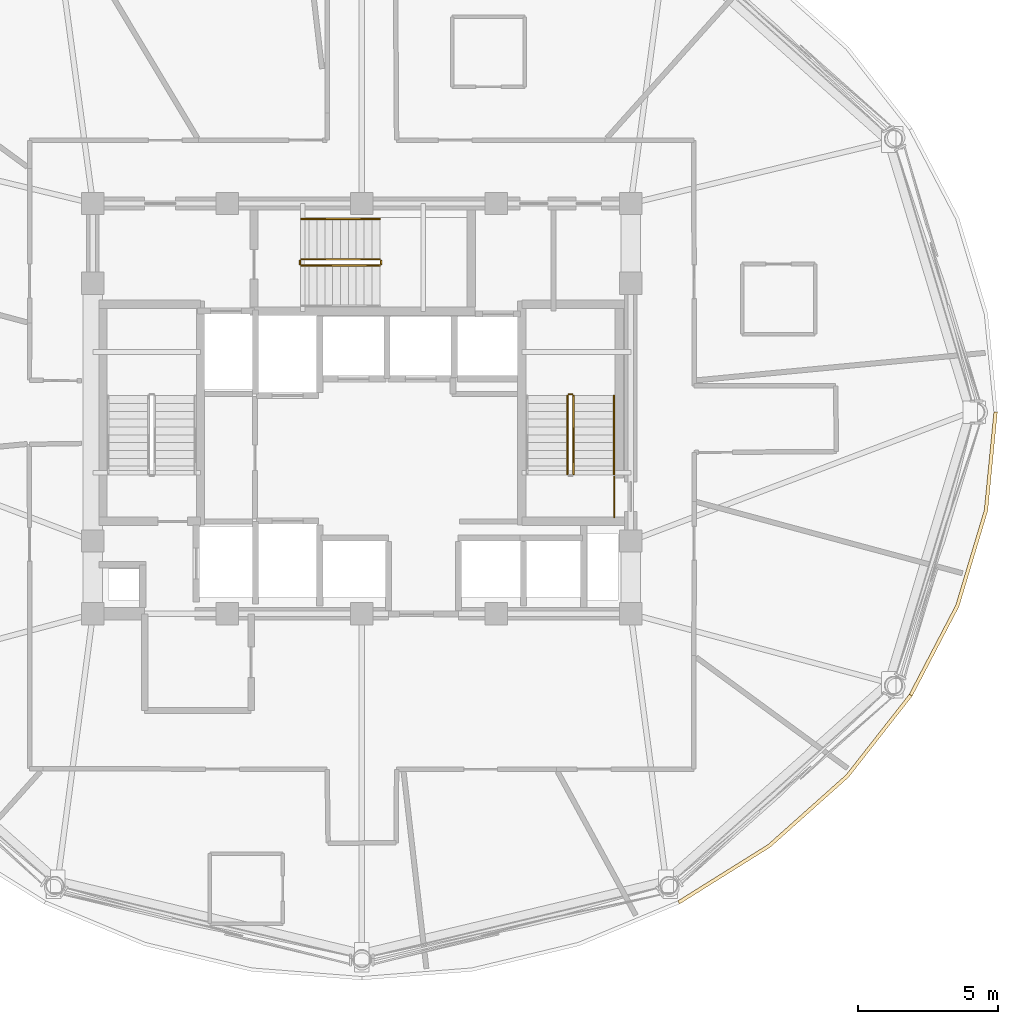
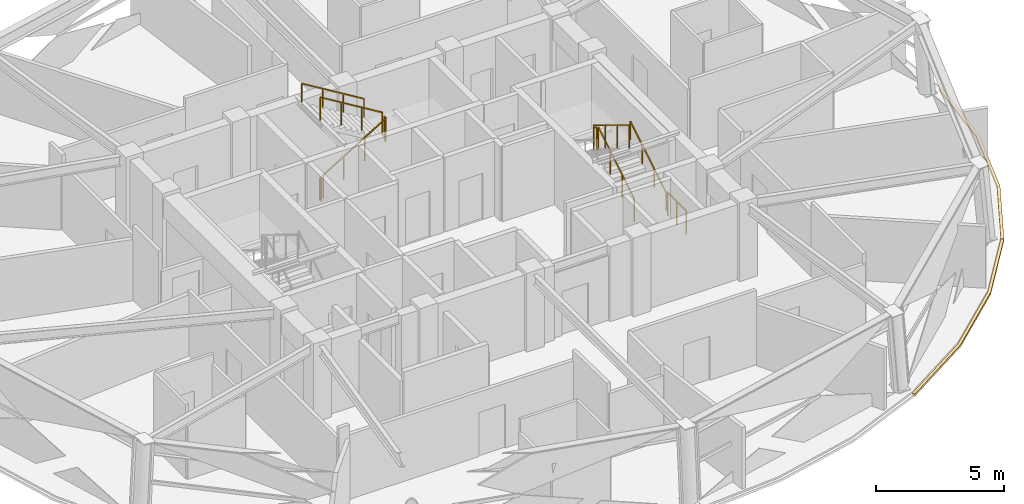
# One storey, part 10 of 11: 10 railings, 2 coverings.
"""IFC4 building model written with IfcOpenShell, lengths in metres."""

import ifcopenshell
import ifcopenshell.guid

model = None  # the IFC model being written
_history = None  # IfcOwnerHistory: only IFC2X3 demands one
_inside = {}  # id of a spatial element -> (the spatial element, [elements in it])
_under = {}  # id of a project, library or spatial element -> (it, [spatial elements below it])
_declared = {}  # id of a project -> (the project, [libraries it declares])
_typed = {}  # id of a type object -> (the type object, [elements of that type])
_made_of = {}  # id of a material, layer set ... -> (it, [elements and type objects made of it])


def new_model(schema):
    """Start an empty IFC model of exactly this schema.

    Asked for "IFC4X3", IfcOpenShell would pick the latest addendum, in which some entities
    have other attributes; the version numbers below select the first issue.
    IFC2X3 requires an IfcOwnerHistory on every rooted entity: one is made here for all.
    """
    global model, _history
    if schema == "IFC4X3":
        model = ifcopenshell.file(schema_version=(4, 3, 0, 0))
    else:
        model = ifcopenshell.file(schema=schema)
    _inside.clear()
    _under.clear()
    _declared.clear()
    _typed.clear()
    _made_of.clear()
    _history = None
    if model.schema == "IFC2X3":
        org = make("IfcOrganization", Name="unknown")
        user = make(
            "IfcPersonAndOrganization",
            ThePerson=make("IfcPerson", FamilyName="unknown"),
            TheOrganization=org,
        )
        app = make(
            "IfcApplication",
            ApplicationDeveloper=org,
            Version="unknown",
            ApplicationFullName="unknown",
            ApplicationIdentifier="unknown",
        )
        _history = make(
            "IfcOwnerHistory",
            OwningUser=user,
            OwningApplication=app,
            ChangeAction="ADDED",
            CreationDate=0,
        )
    return model


def make(cls, **values):
    """One entity of the class cls with the attributes given. An attribute that is None is left unset."""
    return model.create_entity(
        cls, **{name: value for name, value in values.items() if value is not None}
    )


def rooted(cls, **values):
    """An entity with a GlobalId (a new one), such as an element, a storey or a relation."""
    return make(cls, GlobalId=ifcopenshell.guid.new(), OwnerHistory=_history, **values)


def si_unit(unit_type, name, prefix=None):
    """IfcSIUnit, for example si_unit("LENGTHUNIT", "METRE", prefix="MILLI")."""
    return make("IfcSIUnit", UnitType=unit_type, Prefix=prefix, Name=name)


def assignment(units):
    """IfcUnitAssignment: the units of a project."""
    return None if units is None else make("IfcUnitAssignment", Units=units)


def point(xyz):
    """IfcCartesianPoint."""
    return None if xyz is None else make("IfcCartesianPoint", Coordinates=xyz)


def direction(xyz):
    """IfcDirection."""
    return None if xyz is None else make("IfcDirection", DirectionRatios=xyz)


def frame(location, z_axis=None, x_axis=None):
    """IfcAxis2Placement3D, a coordinate frame: its origin and axes. An axis left out is left unset."""
    return make(
        "IfcAxis2Placement3D",
        Location=point(location),
        Axis=direction(z_axis),
        RefDirection=direction(x_axis),
    )


def frame_2d(location, x_axis=None):
    """IfcAxis2Placement2D, a coordinate frame in the plane: its origin and x axis."""
    return make(
        "IfcAxis2Placement2D", Location=point(location), RefDirection=direction(x_axis)
    )


def origin():
    """The frame at (0, 0, 0) with its axes left unset."""
    return frame((0.0, 0.0, 0.0))


def origin_2d():
    """The frame at (0, 0) in the plane with its x axis left unset."""
    return frame_2d((0.0, 0.0))


def place(relative_to, where):
    """IfcLocalPlacement: puts the frame where relative to a parent placement (None: the world)."""
    return make(
        "IfcLocalPlacement", PlacementRelTo=relative_to, RelativePlacement=where
    )


def context(
    kind, dimensions, precision=None, world=None, true_north=None, identifier=None
):
    """IfcGeometricRepresentationContext, for example the 3D "Model" context."""
    return make(
        "IfcGeometricRepresentationContext",
        ContextIdentifier=identifier,
        ContextType=kind,
        CoordinateSpaceDimension=dimensions,
        Precision=precision,
        WorldCoordinateSystem=world,
        TrueNorth=true_north,
    )


def subcontext(parent, identifier, kind, view, scale=None):
    """IfcGeometricRepresentationSubContext, for example "Body" below "Model"."""
    return make(
        "IfcGeometricRepresentationSubContext",
        ContextIdentifier=identifier,
        ContextType=kind,
        ParentContext=parent,
        TargetScale=scale,
        TargetView=view,
    )


def project(units=None, contexts=None):
    """IfcProject with its units and contexts."""
    return rooted(
        "IfcProject",
        Name="project",
        RepresentationContexts=contexts,
        UnitsInContext=assignment(units),
    )


def spatial(cls, under=None, at=None, **own):
    """A site, building, storey or space (cls), placed at a placement, below another one or the project."""
    s = rooted(cls, ObjectPlacement=at, **own)
    if under is not None:
        _under.setdefault(under.id(), (under, []))[1].append(s)
    return s


def polyline(points):
    """IfcPolyline through the points."""
    return make("IfcPolyline", Points=[point(p) for p in points])


def profile(cls, at=None, kind="AREA", **sizes):
    """A parametric profile (cls). Its sizes go by their IFC names, for example OverallWidth=200.0."""
    return make(cls, ProfileType=kind, Position=at, **sizes)


def rectangle(**sizes):
    """IfcRectangleProfileDef."""
    return profile("IfcRectangleProfileDef", **sizes)


def outline(outer, holes=None, kind="AREA"):
    """IfcArbitraryClosedProfileDef: a profile drawn as a closed curve; with holes, ...WithVoids."""
    if holes is None:
        return make("IfcArbitraryClosedProfileDef", ProfileType=kind, OuterCurve=outer)
    return make(
        "IfcArbitraryProfileDefWithVoids",
        ProfileType=kind,
        OuterCurve=outer,
        InnerCurves=holes,
    )


def extrude(swept, where, along, depth):
    """IfcExtrudedAreaSolid: the profile swept, set in the frame where, extruded along a direction by depth."""
    return make(
        "IfcExtrudedAreaSolid",
        SweptArea=swept,
        Position=where,
        ExtrudedDirection=direction(along),
        Depth=depth,
    )


def shape(context_of_items, identifier, shape_type, items):
    """IfcShapeRepresentation: the items that make up one representation, for example the "Body"."""
    return make(
        "IfcShapeRepresentation",
        ContextOfItems=context_of_items,
        RepresentationIdentifier=identifier,
        RepresentationType=shape_type,
        Items=items,
    )


def material(Name=None, Category=None):
    """IfcMaterial."""
    return make("IfcMaterial", Name=Name, Category=Category)


def layer(
    of_material, thickness, ventilated=None, Name=None, Category=None, Priority=None
):
    """IfcMaterialLayer: one layer of a wall or slab, of a material (None: an air gap)."""
    return make(
        "IfcMaterialLayer",
        Material=of_material,
        LayerThickness=thickness,
        IsVentilated=ventilated,
        Name=Name,
        Category=Category,
        Priority=Priority,
    )


def layer_set(layers, Name=None):
    """IfcMaterialLayerSet."""
    return make("IfcMaterialLayerSet", MaterialLayers=layers, LayerSetName=Name)


def made_of(thing, what):
    """Note that an element or type object is made of a material, layer set ...; save() writes the relation."""
    if what is not None:
        _made_of.setdefault(what.id(), (what, []))[1].append(thing)
    return thing


def type_object(cls, material=None, **own):
    """A type object (cls), such as IfcWallType, which elements share."""
    return made_of(rooted(cls, **own), material)


def element(
    cls,
    number,
    at=None,
    inside=None,
    cuts=None,
    type_object=None,
    material=None,
    context=None,
    identifier="Body",
    shape_type=None,
    held_by="IfcProductDefinitionShape",
    body=None,
    shapes=None,
    **own,
):
    """One element of the class cls, such as IfcWall. Its Tag is "e" and its number.

    at: its placement. inside: the storey or other place that contains it. cuts: it is an
    opening in that element (IfcRelVoidsElement). A single representation is given by context,
    identifier, shape_type and body (its items); several are given by shapes. held_by: the class
    of the entity that holds the representations. save() writes the other relations.
    """
    e = rooted(cls, Tag="e%d" % number, ObjectPlacement=at, **own)
    if body is not None:
        shapes = [shape(context, identifier, shape_type, body)]
    if shapes is not None:
        e.Representation = make(held_by, Representations=shapes)
    if inside is not None:
        _inside.setdefault(inside.id(), (inside, []))[1].append(e)
    if cuts is not None:
        rooted(
            "IfcRelVoidsElement", RelatingBuildingElement=cuts, RelatedOpeningElement=e
        )
    if type_object is not None:
        _typed.setdefault(type_object.id(), (type_object, []))[1].append(e)
    return made_of(e, material)


def aggregate(whole, parts):
    """IfcRelAggregates: a whole, such as a stair, and the parts it consists of."""
    return rooted("IfcRelAggregates", RelatingObject=whole, RelatedObjects=parts)


def save(model, path):
    """Write the relations noted so far, then the file.

    IfcRelAggregates (storeys below a building ...), IfcRelContainedInSpatialStructure (elements
    in a storey), IfcRelDefinesByType, IfcRelAssociatesMaterial and IfcRelDeclares: one each for
    every whole, place, type object, material and project.
    """
    for whole, parts in _under.values():
        aggregate(whole, parts)
    for where, things in _inside.values():
        rooted(
            "IfcRelContainedInSpatialStructure",
            RelatedElements=things,
            RelatingStructure=where,
        )
    for kind, things in _typed.values():
        rooted("IfcRelDefinesByType", RelatedObjects=things, RelatingType=kind)
    for what, things in _made_of.values():
        rooted("IfcRelAssociatesMaterial", RelatedObjects=things, RelatingMaterial=what)
    for by, libraries in _declared.values():
        rooted("IfcRelDeclares", RelatingContext=by, RelatedDefinitions=libraries)
    model.write(path)


model = new_model("IFC4")

# Units and contexts
model_context = context("Model", 3, precision=1e-05, world=origin(), true_north=direction((0.0, 1.0)))
body_context = subcontext(model_context, "Body", "Model", "MODEL_VIEW")
ifc_project = project(units=[si_unit("LENGTHUNIT", "METRE"), si_unit("AREAUNIT", "SQUARE_METRE"), si_unit("VOLUMEUNIT", "CUBIC_METRE"), si_unit("PLANEANGLEUNIT", "RADIAN"), si_unit("MASSUNIT", "GRAM", prefix="KILO")], contexts=[model_context])

# Site, building, storey
site_placement = place(None, origin())
site = spatial("IfcSite", under=ifc_project, at=site_placement, CompositionType="ELEMENT")
building_placement = place(site_placement, origin())
building = spatial("IfcBuilding", under=site, at=building_placement, Name="Vantalir Tower", CompositionType="ELEMENT")
storey_placement = place(building_placement, frame((0.0, 0.0, 231.14990234375)))
storey = spatial("IfcBuildingStorey", under=building, at=storey_placement, Name="L58", CompositionType="ELEMENT", Elevation=231.14990234375)

# Coverings
ifc_material_1 = material(Name="Anodised champagne aluminium sill fascia", Category="aluminium")
ifc_layer = layer(ifc_material_1, 0.125)
ifc_layer_set = layer_set([ifc_layer], Name="Anodised champagne aluminium sill fascia")
covering_type = type_object("IfcCoveringType", Name="COV-SLAB-FASCIA-125", PredefinedType="CLADDING", material=ifc_layer_set)
covering_1_placement = place(storey_placement, frame((0.0, 0.0, -0.179931640625)))
element("IfcCovering", 1, at=covering_1_placement, inside=storey, type_object=covering_type, Name="L58 Perimeter Slab-Edge Sill Fascia 11", PredefinedType="CLADDING", context=body_context, shape_type="SweptSolid", body=[
    extrude(outline(polyline([(42.843994140625, 7.445068359375), (46.083984375, 9.471923828125), (48.8798828125, 11.969970703125), (51.14794921875, 14.864013671875), (51.0400390625, 14.927001953125), (48.783935546875, 12.050048828125), (46.0029296875, 9.56689453125), (42.781982421875, 7.552978515625), (42.843994140625, 7.445068359375)])), origin(), (0.0, 0.0, 1.0), 0.10498046875),
])
covering_2_placement = place(storey_placement, frame((0.0, 0.0, -0.179931640625)))
element("IfcCovering", 2, at=covering_2_placement, inside=storey, type_object=covering_type, Name="L58 Perimeter Slab-Edge Sill Fascia 12", PredefinedType="CLADDING", context=body_context, shape_type="SweptSolid", body=[
    extrude(outline(polyline([(51.14794921875, 14.864013671875), (52.820068359375, 18.06689453125), (53.843017578125, 21.47998046875), (54.18798828125, 25.0), (54.06298828125, 25.0), (53.719970703125, 21.501953125), (52.701904296875, 18.110107421875), (51.0400390625, 14.927001953125), (51.14794921875, 14.864013671875)])), origin(), (0.0, 0.0, 1.0), 0.10498046875),
])

# Railings
ifc_material_2 = material(Name="Anodised aluminium and stainless steel guard", Category="steel")
railing_type_1 = type_object("IfcRailingType", Name="RAL-GUARD-1120", PredefinedType="GUARDRAIL", material=ifc_material_2)
railing_1_placement = place(storey_placement, frame((39.06005859375, 22.7900390625, 0.170654296875)))
element("IfcRailing", 3, at=railing_1_placement, inside=storey, type_object=railing_type_1, Name="L58 ST2 stair guard 1", PredefinedType="GUARDRAIL", context=body_context, shape_type="SweptSolid", body=[
    extrude(rectangle(XDim=0.048095703125, YDim=0.048095703125, at=origin_2d()), frame((0.0, 0.0, 1.09619140625), z_axis=(0.0, 0.854202870247, 0.519939858505), x_axis=(-1.0, 0.0, 0.0)), (0.0, 0.0, 1.0), 3.278076171875),
    extrude(rectangle(XDim=0.0419921875, YDim=0.0419921875, at=origin_2d()), origin(), (0.0, 0.0, 1.0), 1.072021484375),
    extrude(rectangle(XDim=0.0419921875, YDim=0.0419921875, at=origin_2d()), frame((0.0, 0.933349609375, 0.568115234375)), (0.0, 0.0, 1.0), 1.072021484375),
    extrude(rectangle(XDim=0.0419921875, YDim=0.0419921875, at=origin_2d()), frame((0.0, 1.86669921875, 1.13623046875)), (0.0, 0.0, 1.0), 1.072021484375),
    extrude(rectangle(XDim=0.0419921875, YDim=0.0419921875, at=origin_2d()), frame((0.0, 2.800048828125, 1.704345703125)), (0.0, 0.0, 1.0), 1.072021484375),
])
railing_2_placement = place(storey_placement, frame((39.010009765625, 25.639892578125, 1.875)))
element("IfcRailing", 4, at=railing_2_placement, inside=storey, type_object=railing_type_1, Name="L58 ST2 stair guard 2", PredefinedType="GUARDRAIL", context=body_context, shape_type="SweptSolid", body=[
    extrude(rectangle(XDim=0.048095703125, YDim=0.048095703125, at=origin_2d()), frame((0.0, 0.0, 1.09619140625), z_axis=(-1.0, 0.0, 0.0), x_axis=(0.0, -1.0, 0.0)), (0.0, 0.0, 1.0), 0.1201171875),
    extrude(rectangle(XDim=0.0419921875, YDim=0.0419921875, at=origin_2d()), origin(), (0.0, 0.0, 1.0), 1.072021484375),
    extrude(rectangle(XDim=0.0419921875, YDim=0.0419921875, at=origin_2d()), frame((-0.1201171875, 0.0, 0.0)), (0.0, 0.0, 1.0), 1.072021484375),
])
railing_3_placement = place(storey_placement, frame((38.840087890625, 25.590087890625, 2.045654296875)))
element("IfcRailing", 5, at=railing_3_placement, inside=storey, type_object=railing_type_1, Name="L58 ST2 stair guard 3", PredefinedType="GUARDRAIL", context=body_context, shape_type="SweptSolid", body=[
    extrude(rectangle(XDim=0.048095703125, YDim=0.048095703125, at=origin_2d()), frame((0.0, 0.0, 1.09619140625), z_axis=(0.0, -0.854202870247, 0.519939858505), x_axis=(1.0, 0.0, 0.0)), (0.0, 0.0, 1.0), 3.278076171875),
    extrude(rectangle(XDim=0.0419921875, YDim=0.0419921875, at=origin_2d()), origin(), (0.0, 0.0, 1.0), 1.072021484375),
    extrude(rectangle(XDim=0.0419921875, YDim=0.0419921875, at=origin_2d()), frame((0.0, -0.933349609375, 0.568115234375)), (0.0, 0.0, 1.0), 1.072021484375),
    extrude(rectangle(XDim=0.0419921875, YDim=0.0419921875, at=origin_2d()), frame((0.0, -1.86669921875, 1.13623046875)), (0.0, 0.0, 1.0), 1.072021484375),
    extrude(rectangle(XDim=0.0419921875, YDim=0.0419921875, at=origin_2d()), frame((0.0, -2.800048828125, 1.704345703125)), (0.0, 0.0, 1.0), 1.072021484375),
])
railing_4_placement = place(storey_placement, frame((29.340087890625, 30.239990234375, 0.170654296875)))
element("IfcRailing", 6, at=railing_4_placement, inside=storey, type_object=railing_type_1, Name="L58 ST3 stair guard 1", PredefinedType="GUARDRAIL", context=body_context, shape_type="SweptSolid", body=[
    extrude(rectangle(XDim=0.048095703125, YDim=0.048095703125, at=origin_2d()), frame((0.0, 0.0, 1.09619140625), z_axis=(0.854182733786, 0.0, 0.519972939009), x_axis=(0.0, 1.0, 0.0)), (0.0, 0.0, 1.0), 3.27783203125),
    extrude(rectangle(XDim=0.0419921875, YDim=0.0419921875, at=origin_2d()), origin(), (0.0, 0.0, 1.0), 1.072021484375),
    extrude(rectangle(XDim=0.0419921875, YDim=0.0419921875, at=origin_2d()), frame((0.933349609375, 0.0, 0.568115234375)), (0.0, 0.0, 1.0), 1.072021484375),
    extrude(rectangle(XDim=0.0419921875, YDim=0.0419921875, at=origin_2d()), frame((1.866455078125, 0.0, 1.13623046875)), (0.0, 0.0, 1.0), 1.072021484375),
    extrude(rectangle(XDim=0.0419921875, YDim=0.0419921875, at=origin_2d()), frame((2.7998046875, 0.0, 1.704345703125)), (0.0, 0.0, 1.0), 1.072021484375),
])
railing_5_placement = place(storey_placement, frame((32.18994140625, 30.2900390625, 1.875)))
element("IfcRailing", 7, at=railing_5_placement, inside=storey, type_object=railing_type_1, Name="L58 ST3 stair guard 2", PredefinedType="GUARDRAIL", context=body_context, shape_type="SweptSolid", body=[
    extrude(rectangle(XDim=0.048095703125, YDim=0.048095703125, at=origin_2d()), frame((0.0, 0.0, 1.09619140625), z_axis=(0.0, 1.0, 0.0), x_axis=(-1.0, 0.0, 0.0)), (0.0, 0.0, 1.0), 0.119873046875),
    extrude(rectangle(XDim=0.0419921875, YDim=0.0419921875, at=origin_2d()), origin(), (0.0, 0.0, 1.0), 1.072021484375),
    extrude(rectangle(XDim=0.0419921875, YDim=0.0419921875, at=origin_2d()), frame((0.0, 0.119873046875, 0.0)), (0.0, 0.0, 1.0), 1.072021484375),
])
railing_6_placement = place(storey_placement, frame((32.139892578125, 30.4599609375, 2.045654296875)))
element("IfcRailing", 8, at=railing_6_placement, inside=storey, type_object=railing_type_1, Name="L58 ST3 stair guard 3", PredefinedType="GUARDRAIL", context=body_context, shape_type="SweptSolid", body=[
    extrude(rectangle(XDim=0.048095703125, YDim=0.048095703125, at=origin_2d()), frame((0.0, 0.0, 1.09619140625), z_axis=(-0.854182733786, 0.0, 0.519972939009), x_axis=(0.0, -1.0, 0.0)), (0.0, 0.0, 1.0), 3.27783203125),
    extrude(rectangle(XDim=0.0419921875, YDim=0.0419921875, at=origin_2d()), origin(), (0.0, 0.0, 1.0), 1.072021484375),
    extrude(rectangle(XDim=0.0419921875, YDim=0.0419921875, at=origin_2d()), frame((-0.933349609375, 0.0, 0.568115234375)), (0.0, 0.0, 1.0), 1.072021484375),
    extrude(rectangle(XDim=0.0419921875, YDim=0.0419921875, at=origin_2d()), frame((-1.866455078125, 0.0, 1.13623046875)), (0.0, 0.0, 1.0), 1.072021484375),
    extrude(rectangle(XDim=0.0419921875, YDim=0.0419921875, at=origin_2d()), frame((-2.7998046875, 0.0, 1.704345703125)), (0.0, 0.0, 1.0), 1.072021484375),
])
railing_7_placement = place(storey_placement, frame((29.2900390625, 30.2900390625, 0.0)))
element("IfcRailing", 9, at=railing_7_placement, inside=storey, type_object=railing_type_1, Name="L58 ST3 stair guard 4", PredefinedType="GUARDRAIL", context=body_context, shape_type="SweptSolid", body=[
    extrude(rectangle(XDim=0.048095703125, YDim=0.048095703125, at=origin_2d()), frame((0.0, 0.0, 1.09619140625), z_axis=(0.0, 1.0, 0.0), x_axis=(-1.0, 0.0, 0.0)), (0.0, 0.0, 1.0), 0.119873046875),
    extrude(rectangle(XDim=0.0419921875, YDim=0.0419921875, at=origin_2d()), origin(), (0.0, 0.0, 1.0), 1.072021484375),
    extrude(rectangle(XDim=0.0419921875, YDim=0.0419921875, at=origin_2d()), frame((0.0, 0.119873046875, 0.0)), (0.0, 0.0, 1.0), 1.072021484375),
])
railing_8_placement = place(storey_placement, frame((40.510009765625, 21.260009765625, 0.0)))
element("IfcRailing", 10, at=railing_8_placement, inside=storey, type_object=railing_type_1, Name="L58 Stair ST2 Doorway Landing Guard", PredefinedType="GUARDRAIL", context=body_context, shape_type="SweptSolid", body=[
    extrude(rectangle(XDim=0.048095703125, YDim=0.048095703125, at=origin_2d()), frame((0.0, 0.0, 1.1259765625), z_axis=(0.0, 1.0, 0.0), x_axis=(-1.0, 0.0, 0.0)), (0.0, 0.0, 1.0), 1.43994140625),
    extrude(rectangle(XDim=0.0419921875, YDim=0.0419921875, at=origin_2d()), origin(), (0.0, 0.0, 1.0), 1.101806640625),
    extrude(rectangle(XDim=0.0419921875, YDim=0.0419921875, at=origin_2d()), frame((0.0, 0.719970703125, 0.0)), (0.0, 0.0, 1.0), 1.101806640625),
    extrude(rectangle(XDim=0.0419921875, YDim=0.0419921875, at=origin_2d()), frame((0.0, 1.43994140625, 0.0)), (0.0, 0.0, 1.0), 1.101806640625),
])
ifc_material_3 = material(Name="Brushed stainless steel tubular handrail", Category="steel")
railing_type_2 = type_object("IfcRailingType", Name="RAL-HANDRAIL-900", PredefinedType="HANDRAIL", material=ifc_material_3)
railing_9_placement = place(storey_placement, frame((40.5, 22.7900390625, 0.170654296875)))
element("IfcRailing", 11, at=railing_9_placement, inside=storey, type_object=railing_type_2, Name="L58 ST2 stair handrail 1", PredefinedType="HANDRAIL", context=body_context, shape_type="SweptSolid", body=[
    extrude(rectangle(XDim=0.048095703125, YDim=0.048095703125, at=origin_2d()), frame((0.0, 0.0, 0.8759765625), z_axis=(0.0, 0.854202870247, 0.519939858505), x_axis=(-1.0, 0.0, 0.0)), (0.0, 0.0, 1.0), 3.278076171875),
    extrude(rectangle(XDim=0.0419921875, YDim=0.0419921875, at=origin_2d()), origin(), (0.0, 0.0, 1.0), 0.851806640625),
    extrude(rectangle(XDim=0.0419921875, YDim=0.0419921875, at=origin_2d()), frame((0.0, 0.933349609375, 0.568115234375)), (0.0, 0.0, 1.0), 0.851806640625),
    extrude(rectangle(XDim=0.0419921875, YDim=0.0419921875, at=origin_2d()), frame((0.0, 1.86669921875, 1.13623046875)), (0.0, 0.0, 1.0), 0.851806640625),
    extrude(rectangle(XDim=0.0419921875, YDim=0.0419921875, at=origin_2d()), frame((0.0, 2.800048828125, 1.704345703125)), (0.0, 0.0, 1.0), 0.851806640625),
])
railing_10_placement = place(storey_placement, frame((32.139892578125, 31.89990234375, 2.045654296875)))
element("IfcRailing", 12, at=railing_10_placement, inside=storey, type_object=railing_type_2, Name="L58 ST3 stair handrail 2", PredefinedType="HANDRAIL", context=body_context, shape_type="SweptSolid", body=[
    extrude(rectangle(XDim=0.048095703125, YDim=0.048095703125, at=origin_2d()), frame((0.0, 0.0, 0.8759765625), z_axis=(-0.854182733786, 0.0, 0.519972939009), x_axis=(0.0, -1.0, 0.0)), (0.0, 0.0, 1.0), 3.27783203125),
    extrude(rectangle(XDim=0.0419921875, YDim=0.0419921875, at=origin_2d()), origin(), (0.0, 0.0, 1.0), 0.851806640625),
    extrude(rectangle(XDim=0.0419921875, YDim=0.0419921875, at=origin_2d()), frame((-0.933349609375, 0.0, 0.568115234375)), (0.0, 0.0, 1.0), 0.851806640625),
    extrude(rectangle(XDim=0.0419921875, YDim=0.0419921875, at=origin_2d()), frame((-1.866455078125, 0.0, 1.13623046875)), (0.0, 0.0, 1.0), 0.851806640625),
    extrude(rectangle(XDim=0.0419921875, YDim=0.0419921875, at=origin_2d()), frame((-2.7998046875, 0.0, 1.704345703125)), (0.0, 0.0, 1.0), 0.851806640625),
])

save(model, "model.ifc")
